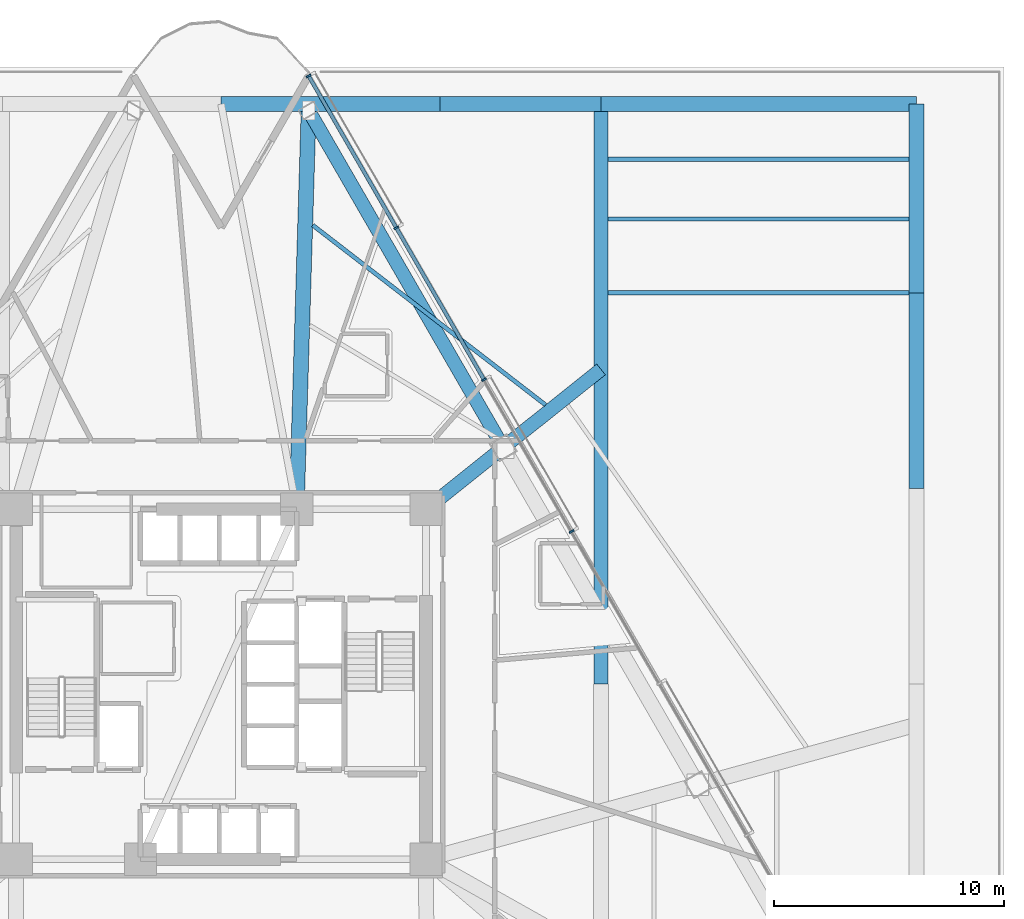
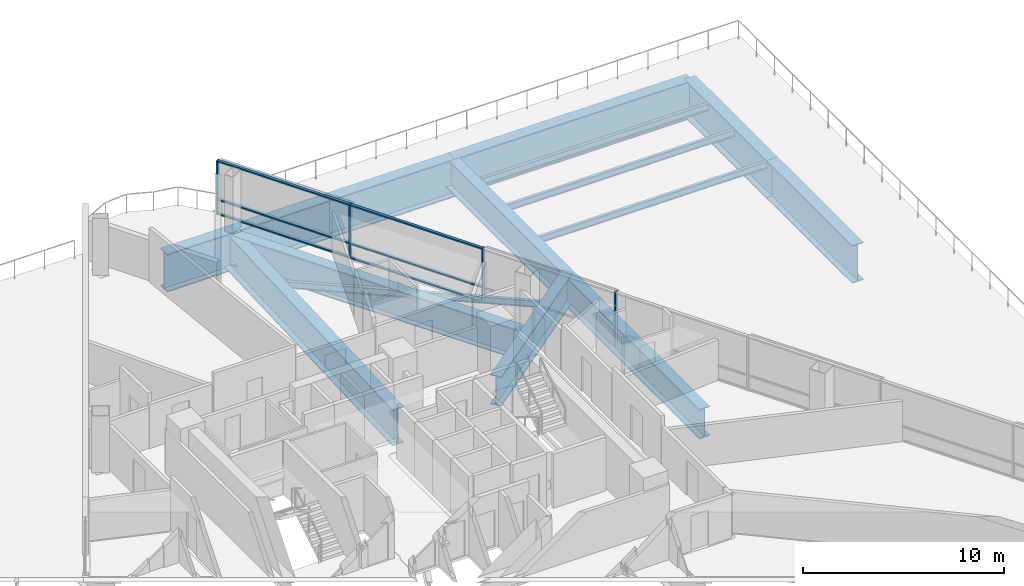
# One storey, part 7 of 19: 13 beams, 10 members, 1 element without a shape of its own.
"""IFC4 building model written with IfcOpenShell, lengths in metres."""

from ifc_helpers import new_model, si_unit, direction, frame, origin, origin_2d, place, context, subcontext, project, spatial, rectangle, i_section, extrude, material, layer, layer_set, material_profile, profile_set, type_object, element, aggregate, save


model = new_model("IFC4")

# Units and contexts
model_context = context("Model", 3, precision=1e-05, world=origin(), true_north=direction((0.0, 1.0)))
body_context = subcontext(model_context, "Body", "Model", "MODEL_VIEW")
ifc_project = project(units=[si_unit("LENGTHUNIT", "METRE"), si_unit("AREAUNIT", "SQUARE_METRE"), si_unit("VOLUMEUNIT", "CUBIC_METRE"), si_unit("PLANEANGLEUNIT", "RADIAN"), si_unit("MASSUNIT", "GRAM", prefix="KILO")], contexts=[model_context])

# Site, building, storey
site_placement = place(None, origin())
site = spatial("IfcSite", under=ifc_project, at=site_placement, CompositionType="ELEMENT")
building_placement = place(site_placement, origin())
building = spatial("IfcBuilding", under=site, at=building_placement, Name="Tharavind Bronze Gate", CompositionType="ELEMENT")
storey_placement = place(building_placement, frame((0.0, 0.0, 31.800048828125)))
storey = spatial("IfcBuildingStorey", under=building, at=storey_placement, Name="L06", CompositionType="ELEMENT", Elevation=31.800048828125)

# Curtain wall, members
ifc_material_1 = material(Name="Anodised Bronze Aluminium", Category="aluminium")
ifc_layer = layer(ifc_material_1, 0.219970703125)
ifc_layer_set = layer_set([ifc_layer], Name="Anodised Bronze Aluminium")
curtain_wall_type = type_object("IfcCurtainWallType", Name="UNITISED CURTAIN WALL HOTEL", PredefinedType="USERDEFINED", material=ifc_layer_set)
curtain_wall_placement = place(storey_placement, origin())
curtain_wall = element("IfcCurtainWall", 1, at=curtain_wall_placement, inside=storey, type_object=curtain_wall_type, Name="L06 unitised curtain wall hotel CW-L06-S3", ObjectType="UNITISED CURTAIN WALL", PredefinedType="USERDEFINED")
member_type_1 = type_object("IfcMemberType", Name="CURTAIN WALL MULLION 80X220", PredefinedType="MULLION", material=ifc_material_1)
member_1_placement = place(storey_placement, frame((15.223876953125, 6.63134765625, 0.0), z_axis=(0.0, 0.0, 1.0), x_axis=(-0.500001511499, 0.866024531118, 0.0)))
member_1 = element("IfcMember", 2, at=member_1_placement, type_object=member_type_1, Name="CW-L06-S3 mullion 5", PredefinedType="MULLION", context=body_context, shape_type="SweptSolid", body=[
    extrude(rectangle(XDim=0.080078125, YDim=0.219970703125, at=origin_2d()), origin(), (0.0, 0.0, 1.0), 3.27490234375),
])
member_2_placement = place(storey_placement, frame((11.416015625, 13.22705078125, 0.0), z_axis=(0.0, 0.0, 1.0), x_axis=(-0.500001511499, 0.866024531118, 0.0)))
member_2 = element("IfcMember", 3, at=member_2_placement, type_object=member_type_1, Name="CW-L06-S3 mullion 6", PredefinedType="MULLION", context=body_context, shape_type="SweptSolid", body=[
    extrude(rectangle(XDim=0.080078125, YDim=0.219970703125, at=origin_2d()), origin(), (0.0, 0.0, 1.0), 3.27490234375),
])
member_3_placement = place(storey_placement, frame((7.60791015625, 19.822509765625, 0.0), z_axis=(0.0, 0.0, 1.0), x_axis=(-0.500001511499, 0.866024531118, 0.0)))
member_3 = element("IfcMember", 4, at=member_3_placement, type_object=member_type_1, Name="CW-L06-S3 mullion 7", PredefinedType="MULLION", context=body_context, shape_type="SweptSolid", body=[
    extrude(rectangle(XDim=0.080078125, YDim=0.219970703125, at=origin_2d()), origin(), (0.0, 0.0, 1.0), 3.27490234375),
])
member_4_placement = place(storey_placement, frame((3.800048828125, 26.418212890625, 0.0), z_axis=(0.0, 0.0, 1.0), x_axis=(-0.500001511499, 0.866024531118, 0.0)))
member_4 = element("IfcMember", 5, at=member_4_placement, type_object=member_type_1, Name="CW-L06-S3 mullion 8", PredefinedType="MULLION", context=body_context, shape_type="SweptSolid", body=[
    extrude(rectangle(XDim=0.080078125, YDim=0.219970703125, at=origin_2d()), origin(), (0.0, 0.0, 1.0), 3.27490234375),
])
member_type_2 = type_object("IfcMemberType", Name="CURTAIN WALL TRANSOM 80X160", PredefinedType="USERDEFINED", material=ifc_material_1)
member_5_placement = place(storey_placement, frame((9.511962890625, 16.52490234375, 0.0), z_axis=(0.0, 0.0, 1.0), x_axis=(-0.500001511499, 0.866024531118, 0.0)))
member_5 = element("IfcMember", 6, at=member_5_placement, type_object=member_type_2, Name="CW-L06-S3 transom TB6", ObjectType="TRANSOM", PredefinedType="USERDEFINED", context=body_context, shape_type="SweptSolid", body=[
    extrude(rectangle(XDim=7.5478515625, YDim=0.159912109375, at=origin_2d()), origin(), (0.0, 0.0, 1.0), 0.080078125),
])
member_6_placement = place(storey_placement, frame((9.511962890625, 16.52490234375, 0.85986328125), z_axis=(0.0, 0.0, 1.0), x_axis=(-0.500001511499, 0.866024531118, 0.0)))
member_6 = element("IfcMember", 7, at=member_6_placement, type_object=member_type_2, Name="CW-L06-S3 transom TS6", ObjectType="TRANSOM", PredefinedType="USERDEFINED", context=body_context, shape_type="SweptSolid", body=[
    extrude(rectangle(XDim=7.5478515625, YDim=0.159912109375, at=origin_2d()), origin(), (0.0, 0.0, 1.0), 0.080078125),
])
member_7_placement = place(storey_placement, frame((9.511962890625, 16.52490234375, 3.19482421875), z_axis=(0.0, 0.0, 1.0), x_axis=(-0.500001511499, 0.866024531118, 0.0)))
member_7 = element("IfcMember", 8, at=member_7_placement, type_object=member_type_2, Name="CW-L06-S3 transom TT6", ObjectType="TRANSOM", PredefinedType="USERDEFINED", context=body_context, shape_type="SweptSolid", body=[
    extrude(rectangle(XDim=7.5478515625, YDim=0.159912109375, at=origin_2d()), origin(), (0.0, 0.0, 1.0), 0.080078125),
])
member_8_placement = place(storey_placement, frame((5.7041015625, 23.120361328125, 0.0), z_axis=(0.0, 0.0, 1.0), x_axis=(-0.500001511499, 0.866024531118, 0.0)))
member_8 = element("IfcMember", 9, at=member_8_placement, type_object=member_type_2, Name="CW-L06-S3 transom TB7", ObjectType="TRANSOM", PredefinedType="USERDEFINED", context=body_context, shape_type="SweptSolid", body=[
    extrude(rectangle(XDim=7.5478515625, YDim=0.159912109375, at=origin_2d()), origin(), (0.0, 0.0, 1.0), 0.080078125),
])
member_9_placement = place(storey_placement, frame((5.7041015625, 23.120361328125, 0.85986328125), z_axis=(0.0, 0.0, 1.0), x_axis=(-0.500001511499, 0.866024531118, 0.0)))
member_9 = element("IfcMember", 10, at=member_9_placement, type_object=member_type_2, Name="CW-L06-S3 transom TS7", ObjectType="TRANSOM", PredefinedType="USERDEFINED", context=body_context, shape_type="SweptSolid", body=[
    extrude(rectangle(XDim=7.5478515625, YDim=0.159912109375, at=origin_2d()), origin(), (0.0, 0.0, 1.0), 0.080078125),
])
member_10_placement = place(storey_placement, frame((5.7041015625, 23.120361328125, 3.19482421875), z_axis=(0.0, 0.0, 1.0), x_axis=(-0.500001511499, 0.866024531118, 0.0)))
member_10 = element("IfcMember", 11, at=member_10_placement, type_object=member_type_2, Name="CW-L06-S3 transom TT7", ObjectType="TRANSOM", PredefinedType="USERDEFINED", context=body_context, shape_type="SweptSolid", body=[
    extrude(rectangle(XDim=7.5478515625, YDim=0.159912109375, at=origin_2d()), origin(), (0.0, 0.0, 1.0), 0.080078125),
])
aggregate(curtain_wall, [member_1, member_2, member_3, member_4, member_5, member_6, member_7, member_8, member_9, member_10])

# Beams
ifc_material_2 = material(Name="Steel S355", Category="steel")
ifc_material_profile_1 = material_profile(ifc_material_2, i_section(OverallWidth=0.179931640625, OverallDepth=0.39990234375, WebThickness=0.008544921875, FlangeThickness=0.013427734375, at=origin_2d()), Name="IPE400")
ifc_profile_set_1 = profile_set([ifc_material_profile_1], Name="Steel S355")
beam_type_1 = type_object("IfcBeamType", Name="SECONDARY FLOOR JOIST IPE400", PredefinedType="JOIST", material=ifc_profile_set_1)
for number, where, z_axis, x_axis, name in (
    (12, (16.81005859375, 17.0, -0.39501953125), (1.0, 0.0, 0.0), (0.0, 1.0, 0.0), "L06 secondary floor joist ipe400 BM-L06-SKJE1"),
    (13, (16.81005859375, 20.199951171875, -0.39501953125), (1.0, 0.0, 0.0), (0.0, 1.0, 0.0), "L06 secondary floor joist ipe400 BM-L06-SKJE2"),
    (14, (16.81005859375, 22.800048828125, -0.39501953125), (1.0, 0.0, 0.0), (0.0, 1.0, 0.0), "L06 secondary floor joist ipe400 BM-L06-SKJE3"),
):
    element("IfcBeam", number, at=place(storey_placement, frame(where, z_axis=z_axis, x_axis=x_axis)), inside=storey, type_object=beam_type_1, Name=name, PredefinedType="JOIST", context=body_context, shape_type="SweptSolid", body=[
        extrude(i_section(OverallWidth=0.179931640625, OverallDepth=0.39990234375, WebThickness=0.008544921875, FlangeThickness=0.013427734375, at=origin_2d()), origin(), (0.0, 0.0, 1.0), 13.06005859375),
    ])
beam_1_placement = place(storey_placement, frame((14.08642578125, 12.1328125, -0.39501953125), z_axis=(-0.791550244733, 0.611104091022, 0.0), x_axis=(-0.611104091022, -0.791550244733, 0.0)))
element("IfcBeam", 15, at=beam_1_placement, inside=storey, type_object=beam_type_1, Name="L06 secondary floor joist ipe400 BM-L06-JSTB11", PredefinedType="JOIST", context=body_context, shape_type="SweptSolid", body=[
    extrude(i_section(OverallWidth=0.179931640625, OverallDepth=0.39990234375, WebThickness=0.008544921875, FlangeThickness=0.013427734375, at=origin_2d()), origin(), (0.0, 0.0, 1.0), 12.76953125),
])
ifc_material_3 = material(Name="Steel S460", Category="steel")
ifc_material_profile_2 = material_profile(ifc_material_3, i_section(OverallWidth=0.60009765625, OverallDepth=1.800048828125, WebThickness=0.031982421875, FlangeThickness=0.054931640625, at=origin_2d()), Name="PG1800X600")
ifc_profile_set_2 = profile_set([ifc_material_profile_2], Name="Steel S460")
beam_type_2 = type_object("IfcBeamType", Name="TRANSFER GIRDER 1800X600", PredefinedType="USERDEFINED", material=ifc_profile_set_2)
beam_2_placement = place(storey_placement, frame((16.5, 0.0, -1.094970703125), z_axis=(0.0, 1.0, 0.0), x_axis=(-1.0, 0.0, 0.0)))
element("IfcBeam", 16, at=beam_2_placement, inside=storey, type_object=beam_type_2, Name="L06 transfer girder 1800x600 BM-L06-PM36N", ObjectType="TRANSFER GIRDER", PredefinedType="USERDEFINED", context=body_context, shape_type="SweptSolid", body=[
    extrude(i_section(OverallWidth=0.60009765625, OverallDepth=1.800048828125, WebThickness=0.031982421875, FlangeThickness=0.054931640625, at=origin_2d()), origin(), (0.0, 0.0, 1.0), 25.199951171875),
])
beam_3_placement = place(storey_placement, frame((12.252197265625, 10.278564453125, -1.094970703125), z_axis=(-0.499997491977, 0.866026851788, 0.0), x_axis=(-0.866026851788, -0.499997491977, 0.0)))
element("IfcBeam", 17, at=beam_3_placement, inside=storey, type_object=beam_type_2, Name="L06 transfer girder 1800x600 BM-L06-URG11", ObjectType="TRANSFER GIRDER", PredefinedType="USERDEFINED", context=body_context, shape_type="SweptSolid", body=[
    extrude(i_section(OverallWidth=0.60009765625, OverallDepth=1.800048828125, WebThickness=0.031982421875, FlangeThickness=0.054931640625, at=origin_2d()), origin(), (0.0, 0.0, 1.0), 16.904296875),
])
beam_4_placement = place(storey_placement, frame((8.89990234375, 7.60009765625, -1.094970703125), z_axis=(0.781260409333, 0.624205232924, 0.0), x_axis=(-0.624205232924, 0.781260409333, 0.0)))
element("IfcBeam", 18, at=beam_4_placement, inside=storey, type_object=beam_type_2, Name="L06 transfer girder 1800x600 BM-L06-XFR11", ObjectType="TRANSFER GIRDER", PredefinedType="USERDEFINED", context=body_context, shape_type="SweptSolid", body=[
    extrude(i_section(OverallWidth=0.60009765625, OverallDepth=1.800048828125, WebThickness=0.031982421875, FlangeThickness=0.054931640625, at=origin_2d()), origin(), (0.0, 0.0, 1.0), 9.72802734375),
])
ifc_material_profile_3 = material_profile(ifc_material_3, i_section(OverallWidth=0.64990234375, OverallDepth=2.199951171875, WebThickness=0.035888671875, FlangeThickness=0.054931640625, at=origin_2d()), Name="PG2200X650")
ifc_profile_set_3 = profile_set([ifc_material_profile_3], Name="Steel S460")
beam_type_3 = type_object("IfcBeamType", Name="TRANSFER GIRDER 2200X650", PredefinedType="USERDEFINED", material=ifc_profile_set_3)
beam_5_placement = place(storey_placement, frame((3.280029296875, 7.60009765625, -1.295166015625), z_axis=(0.030018786633, 0.999549334675, 0.0), x_axis=(-0.999549334675, 0.030018786633, 0.0)))
element("IfcBeam", 19, at=beam_5_placement, inside=storey, type_object=beam_type_3, Name="L06 transfer girder 2200x650 BM-L06-XFR12", ObjectType="TRANSFER GIRDER", PredefinedType="USERDEFINED", context=body_context, shape_type="SweptSolid", body=[
    extrude(i_section(OverallWidth=0.64990234375, OverallDepth=2.199951171875, WebThickness=0.035888671875, FlangeThickness=0.054931640625, at=origin_2d()), origin(), (0.0, 0.0, 1.0), 17.60791015625),
])
ifc_material_profile_4 = material_profile(ifc_material_3, i_section(OverallWidth=0.64990234375, OverallDepth=2.300048828125, WebThickness=0.035888671875, FlangeThickness=0.05810546875, at=origin_2d()), Name="PG2300X650")
ifc_profile_set_4 = profile_set([ifc_material_profile_4], Name="Steel S460")
beam_type_4 = type_object("IfcBeamType", Name="TRANSFER GIRDER 2300X650", PredefinedType="USERDEFINED", material=ifc_profile_set_4)
beam_6_placement = place(storey_placement, frame((0.0, 25.199951171875, -1.344970703125), z_axis=(1.0, 0.0, 0.0), x_axis=(0.0, 1.0, 0.0)))
element("IfcBeam", 20, at=beam_6_placement, inside=storey, type_object=beam_type_4, Name="L06 transfer girder 2300x650 BM-L06-PN4", ObjectType="TRANSFER GIRDER", PredefinedType="USERDEFINED", context=body_context, shape_type="SweptSolid", body=[
    extrude(i_section(OverallWidth=0.64990234375, OverallDepth=2.300048828125, WebThickness=0.035888671875, FlangeThickness=0.05810546875, at=origin_2d()), origin(), (0.0, 0.0, 1.0), 9.5),
])
beam_7_placement = place(storey_placement, frame((9.5, 25.199951171875, -1.344970703125), z_axis=(1.0, 0.0, 0.0), x_axis=(0.0, 1.0, 0.0)))
element("IfcBeam", 21, at=beam_7_placement, inside=storey, type_object=beam_type_4, Name="L06 transfer girder 2300x650 BM-L06-PN5", ObjectType="TRANSFER GIRDER", PredefinedType="USERDEFINED", context=body_context, shape_type="SweptSolid", body=[
    extrude(i_section(OverallWidth=0.64990234375, OverallDepth=2.300048828125, WebThickness=0.035888671875, FlangeThickness=0.05810546875, at=origin_2d()), origin(), (0.0, 0.0, 1.0), 7.0),
])
beam_8_placement = place(storey_placement, frame((16.5, 25.199951171875, -1.344970703125), z_axis=(1.0, 0.0, 0.0), x_axis=(0.0, 1.0, 0.0)))
element("IfcBeam", 22, at=beam_8_placement, inside=storey, type_object=beam_type_4, Name="L06 transfer girder 2300x650 BM-L06-PN6", ObjectType="TRANSFER GIRDER", PredefinedType="USERDEFINED", context=body_context, shape_type="SweptSolid", body=[
    extrude(i_section(OverallWidth=0.64990234375, OverallDepth=2.300048828125, WebThickness=0.035888671875, FlangeThickness=0.05810546875, at=origin_2d()), origin(), (0.0, 0.0, 1.0), 13.699951171875),
])
beam_9_placement = place(storey_placement, frame((30.199951171875, 8.5, -1.344970703125), z_axis=(0.0, 1.0, 0.0), x_axis=(-1.0, 0.0, 0.0)))
element("IfcBeam", 23, at=beam_9_placement, inside=storey, type_object=beam_type_4, Name="L06 transfer girder 2300x650 BM-L06-PE5", ObjectType="TRANSFER GIRDER", PredefinedType="USERDEFINED", context=body_context, shape_type="SweptSolid", body=[
    extrude(i_section(OverallWidth=0.64990234375, OverallDepth=2.300048828125, WebThickness=0.035888671875, FlangeThickness=0.05810546875, at=origin_2d()), origin(), (0.0, 0.0, 1.0), 8.5),
])
beam_10_placement = place(storey_placement, frame((30.199951171875, 17.0, -1.344970703125), z_axis=(0.0, 1.0, 0.0), x_axis=(-1.0, 0.0, 0.0)))
element("IfcBeam", 24, at=beam_10_placement, inside=storey, type_object=beam_type_4, Name="L06 transfer girder 2300x650 BM-L06-PE6", ObjectType="TRANSFER GIRDER", PredefinedType="USERDEFINED", context=body_context, shape_type="SweptSolid", body=[
    extrude(i_section(OverallWidth=0.64990234375, OverallDepth=2.300048828125, WebThickness=0.035888671875, FlangeThickness=0.05810546875, at=origin_2d()), origin(), (0.0, 0.0, 1.0), 8.199951171875),
])

save(model, "model.ifc")
